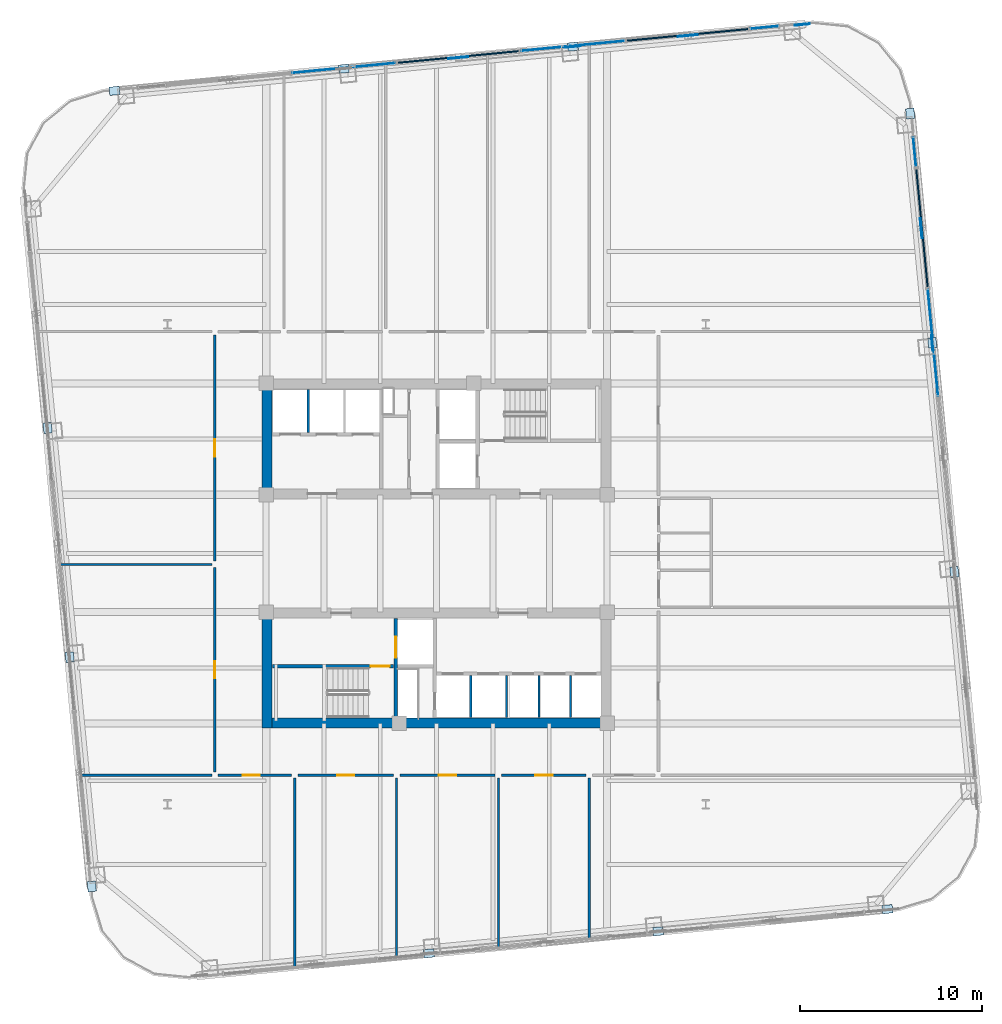
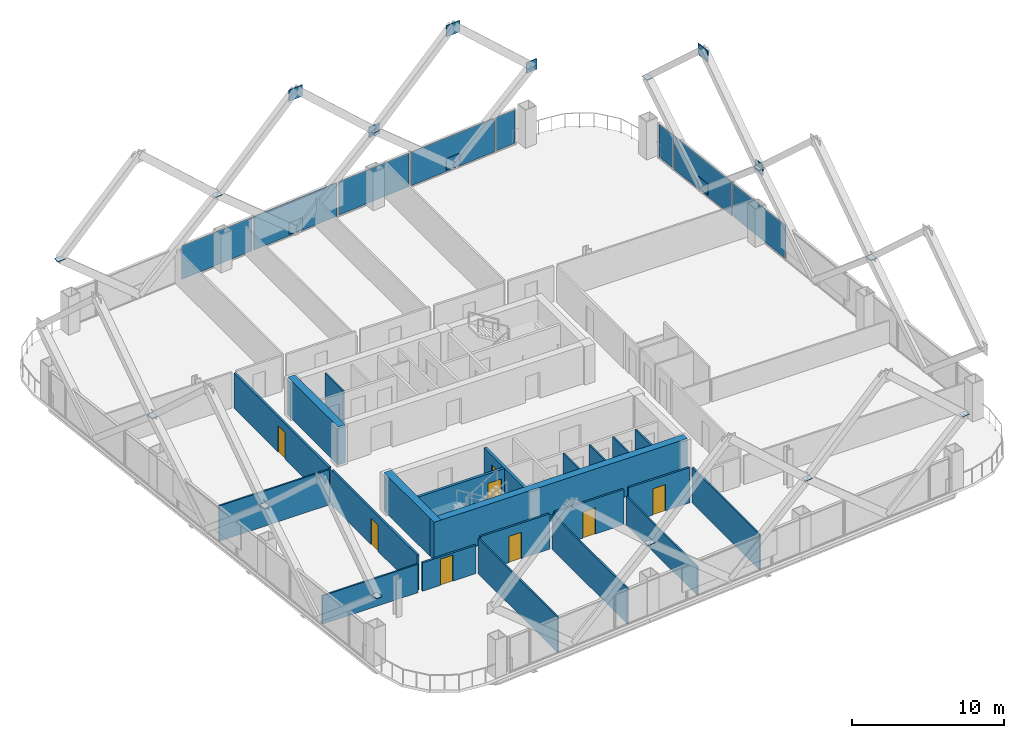
# One storey, part 27 of 32: 29 plates, 22 walls, 8 doors, 8 openings, 8 elements without a shape of their own.
"""IFC4 building model written with IfcOpenShell, lengths in metres."""

from ifc_helpers import new_model, si_unit, direction, frame, frame_2d, origin, origin_2d, place, context, subcontext, project, spatial, rectangle, extrude, material, layer, layer_set, type_object, element, fill, aggregate, save


model = new_model("IFC4")

# Units and contexts
model_context = context("Model", 3, precision=1e-05, world=origin(), true_north=direction((0.0, 1.0)))
body_context = subcontext(model_context, "Body", "Model", "MODEL_VIEW")
ifc_project = project(units=[si_unit("LENGTHUNIT", "METRE"), si_unit("AREAUNIT", "SQUARE_METRE"), si_unit("VOLUMEUNIT", "CUBIC_METRE"), si_unit("PLANEANGLEUNIT", "RADIAN"), si_unit("MASSUNIT", "GRAM", prefix="KILO")], contexts=[model_context])

# Site, building, storey
site_placement = place(None, origin())
site = spatial("IfcSite", under=ifc_project, at=site_placement, CompositionType="ELEMENT")
building_placement = place(site_placement, origin())
building = spatial("IfcBuilding", under=site, at=building_placement, Name="Qhalaya Broadcast Tower", CompositionType="ELEMENT")
storey_placement = place(building_placement, frame((0.0, 0.0, 81.64990234375)))
storey = spatial("IfcBuildingStorey", under=building, at=storey_placement, Name="L23", CompositionType="ELEMENT", Elevation=81.64990234375)

# Plates
ifc_material_1 = material(Name="Structural Steel ASTM A572 Grade 50", Category="steel")
ifc_layer_1 = layer(ifc_material_1, 0.054931640625, Name="Structural Steel ASTM A572 Grade 50")
ifc_layer_set_1 = layer_set([ifc_layer_1], Name="Structural Steel ASTM A572 Grade 50")
plate_type_1 = type_object("IfcPlateType", Name="Exoskeleton Diamond Node Gusset Plate NP-01", PredefinedType="USERDEFINED", material=ifc_layer_set_1)
for number, where, z_axis, x_axis, name in (
    (1, (26.6533203125, 18.49072265625, 0.210205078125), (0.0, 0.0, 1.0), (-0.09584575252, 0.995396198367, 0.0), "Exoskeleton Diamond Node B2-E3-BOT"),
    (2, (26.6533203125, 18.49072265625, 10.85009765625), (0.0, 0.0, 1.0), (-0.09584575252, 0.995396198367, 0.0), "Exoskeleton Diamond Node B2-E3-TOP"),
):
    element("IfcPlate", number, at=place(storey_placement, frame(where, z_axis=z_axis, x_axis=x_axis)), inside=storey, type_object=plate_type_1, Name=name, ObjectType="GUSSET_PLATE", PredefinedType="USERDEFINED", context=body_context, shape_type="SweptSolid", body=[
        extrude(rectangle(XDim=1.10009765625, YDim=0.054931640625, at=origin_2d()), origin(), (0.0, 0.0, 1.0), 0.89990234375),
    ])
plate_1_placement = place(storey_placement, frame((27.260498046875, 12.1865234375, 5.31494140625), z_axis=(0.0, 0.0, 1.0), x_axis=(-0.09584575252, 0.995396198367, 0.0)))
element("IfcPlate", 3, at=plate_1_placement, inside=storey, type_object=plate_type_1, Name="Exoskeleton Diamond Node B2-E3-MDL", ObjectType="GUSSET_PLATE", PredefinedType="USERDEFINED", context=body_context, shape_type="SweptSolid", body=[
    extrude(rectangle(XDim=0.85009765625, YDim=0.054931640625, at=origin_2d()), origin(), (0.0, 0.0, 1.0), 0.85009765625),
])
for number, where, z_axis, x_axis, name in (
    (4, (13.805908203125, 29.08154296875, 0.210205078125), (0.0, 0.0, 1.0), (0.995396198367, 0.09584575252, 0.0), "Exoskeleton Diamond Node B2-N1-BOT"),
    (5, (13.805908203125, 29.08154296875, 10.85009765625), (0.0, 0.0, 1.0), (0.995396198367, 0.09584575252, 0.0), "Exoskeleton Diamond Node B2-N1-TOP"),
):
    element("IfcPlate", number, at=place(storey_placement, frame(where, z_axis=z_axis, x_axis=x_axis)), inside=storey, type_object=plate_type_1, Name=name, ObjectType="GUSSET_PLATE", PredefinedType="USERDEFINED", context=body_context, shape_type="SweptSolid", body=[
        extrude(rectangle(XDim=1.10009765625, YDim=0.054931640625, at=origin_2d()), origin(), (0.0, 0.0, 1.0), 0.89990234375),
    ])
plate_2_placement = place(storey_placement, frame((20.110107421875, 29.688720703125, 5.31494140625), z_axis=(0.0, 0.0, 1.0), x_axis=(0.995396198367, 0.09584575252, 0.0)))
element("IfcPlate", 6, at=plate_2_placement, inside=storey, type_object=plate_type_1, Name="Exoskeleton Diamond Node B2-N1-MDL", ObjectType="GUSSET_PLATE", PredefinedType="USERDEFINED", context=body_context, shape_type="SweptSolid", body=[
    extrude(rectangle(XDim=0.85009765625, YDim=0.054931640625, at=origin_2d()), origin(), (0.0, 0.0, 1.0), 0.85009765625),
])
for number, where, z_axis, x_axis, name in (
    (7, (1.197509765625, 27.867431640625, 0.210205078125), (0.0, 0.0, 1.0), (0.995396198367, 0.09584575252, 0.0), "Exoskeleton Diamond Node B2-N2-BOT"),
    (8, (1.197509765625, 27.867431640625, 10.85009765625), (0.0, 0.0, 1.0), (0.995396198367, 0.09584575252, 0.0), "Exoskeleton Diamond Node B2-N2-TOP"),
):
    element("IfcPlate", number, at=place(storey_placement, frame(where, z_axis=z_axis, x_axis=x_axis)), inside=storey, type_object=plate_type_1, Name=name, ObjectType="GUSSET_PLATE", PredefinedType="USERDEFINED", context=body_context, shape_type="SweptSolid", body=[
        extrude(rectangle(XDim=1.10009765625, YDim=0.054931640625, at=origin_2d()), origin(), (0.0, 0.0, 1.0), 0.89990234375),
    ])
plate_3_placement = place(storey_placement, frame((7.501708984375, 28.474609375, 5.31494140625), z_axis=(0.0, 0.0, 1.0), x_axis=(0.995396198367, 0.09584575252, 0.0)))
element("IfcPlate", 9, at=plate_3_placement, inside=storey, type_object=plate_type_1, Name="Exoskeleton Diamond Node B2-N2-MDL", ObjectType="GUSSET_PLATE", PredefinedType="USERDEFINED", context=body_context, shape_type="SweptSolid", body=[
    extrude(rectangle(XDim=0.85009765625, YDim=0.054931640625, at=origin_2d()), origin(), (0.0, 0.0, 1.0), 0.85009765625),
])
ifc_layer_2 = layer(ifc_material_1, 0.4599609375, Name="Structural Steel ASTM A572 Grade 50")
ifc_layer_set_2 = layer_set([ifc_layer_2], Name="Structural Steel ASTM A572 Grade 50")
plate_type_2 = type_object("IfcPlateType", Name="Hollow Box Member End Cap Plate CP-01", PredefinedType="USERDEFINED", material=ifc_layer_set_2)
for number, where, z_axis, x_axis, name in (
    (10, (-0.421630859375, -21.39453125, 5.72412109375), (0.0, 0.0, 1.0), (0.995396198367, 0.09584575252, 0.0), "Exoskeleton Hollow End Cap B2-S1"),
    (11, (12.1865234375, -20.180419921875, 5.72412109375), (0.0, 0.0, 1.0), (0.995396198367, 0.09584575252, 0.0), "Exoskeleton Hollow End Cap B2-S2"),
    (12, (24.794921875, -18.96630859375, 5.72412109375), (0.0, 0.0, 1.0), (0.995396198367, 0.09584575252, 0.0), "Exoskeleton Hollow End Cap B2-S3"),
    (13, (28.474609375, -0.421630859375, 5.72412109375), (0.0, 0.0, 1.0), (-0.09584575252, 0.995396198367, 0.0), "Exoskeleton Hollow End Cap B2-E1"),
    (14, (27.260498046875, 12.1865234375, 5.72412109375), (0.0, 0.0, 1.0), (-0.09584575252, 0.995396198367, 0.0), "Exoskeleton Hollow End Cap B2-E2"),
    (15, (26.04638671875, 24.794921875, 5.72412109375), (0.0, 0.0, 1.0), (-0.09584575252, 0.995396198367, 0.0), "Exoskeleton Hollow End Cap B2-E3"),
    (16, (7.501708984375, 28.474609375, 5.72412109375), (0.0, 0.0, 1.0), (0.995396198367, 0.09584575252, 0.0), "Exoskeleton Hollow End Cap B2-N1"),
    (17, (-5.106689453125, 27.260498046875, 5.72412109375), (0.0, 0.0, 1.0), (0.995396198367, 0.09584575252, 0.0), "Exoskeleton Hollow End Cap B2-N2"),
    (18, (-17.715087890625, 26.04638671875, 5.72412109375), (0.0, 0.0, 1.0), (0.995396198367, 0.09584575252, 0.0), "Exoskeleton Hollow End Cap B2-N3"),
    (19, (-21.39453125, 7.501708984375, 5.72412109375), (0.0, 0.0, 1.0), (-0.09584575252, 0.995396198367, 0.0), "Exoskeleton Hollow End Cap B2-W1"),
    (20, (-20.180419921875, -5.106689453125, 5.72412109375), (0.0, 0.0, 1.0), (-0.09584575252, 0.995396198367, 0.0), "Exoskeleton Hollow End Cap B2-W2"),
    (21, (-18.96630859375, -17.715087890625, 5.72412109375), (0.0, 0.0, 1.0), (-0.09584575252, 0.995396198367, 0.0), "Exoskeleton Hollow End Cap B2-W3"),
):
    element("IfcPlate", number, at=place(storey_placement, frame(where, z_axis=z_axis, x_axis=x_axis)), inside=storey, type_object=plate_type_2, Name=name, ObjectType="COVER_PLATE", PredefinedType="USERDEFINED", context=body_context, shape_type="SweptSolid", body=[
        extrude(rectangle(XDim=0.56005859375, YDim=0.4599609375, at=origin_2d()), origin(), (0.0, 0.0, 1.0), 0.031982421875),
    ])

# Curtain wall, plate
ifc_material_2 = material(Name="Fired Architectural Terracotta", Category="masonry")
ifc_layer_3 = layer(ifc_material_2, 0.219970703125, Name="Fired Architectural Terracotta")
ifc_layer_set_3 = layer_set([ifc_layer_3], Name="Fired Architectural Terracotta")
curtain_wall_type_1 = type_object("IfcCurtainWallType", Name="Block-Cap Unitised Terracotta Spandrel Wall CW-07", PredefinedType="NOTDEFINED", material=ifc_layer_set_3)
curtain_wall_1_placement = place(storey_placement, origin())
curtain_wall_1 = element("IfcCurtainWall", 22, at=curtain_wall_1_placement, inside=storey, type_object=curtain_wall_type_1, Name="L23 Unitised Curtain Wall L23-CW-E6", PredefinedType="NOTDEFINED")
ifc_layer_4 = layer(ifc_material_2, 0.080078125, Name="Fired Architectural Terracotta")
ifc_layer_set_4 = layer_set([ifc_layer_4], Name="Fired Architectural Terracotta")
plate_type_3 = type_object("IfcPlateType", Name="Insulated Terracotta Spandrel Panel TSP-07", PredefinedType="CURTAIN_PANEL", material=ifc_layer_set_4)
plate_4_placement = place(storey_placement, frame((26.693359375, 18.494384765625, 0.0751953125), z_axis=(0.0, 0.0, 1.0), x_axis=(-0.095857967914, 0.995395022083, 0.0)))
plate_4 = element("IfcPlate", 23, at=plate_4_placement, type_object=plate_type_3, Name="CW-07 panel 1.1", PredefinedType="CURTAIN_PANEL", context=body_context, shape_type="SweptSolid", body=[
    extrude(rectangle(XDim=6.512939453125, YDim=0.080078125, at=origin_2d()), origin(), (0.0, 0.0, 1.0), 2.679931640625),
])
aggregate(curtain_wall_1, [plate_4])

curtain_wall_2_placement = place(storey_placement, origin())
curtain_wall_2 = element("IfcCurtainWall", 24, at=curtain_wall_2_placement, inside=storey, type_object=curtain_wall_type_1, Name="L23 Unitised Curtain Wall L23-CW-N2", PredefinedType="NOTDEFINED")
plate_5_placement = place(storey_placement, frame((13.802001953125, 29.121337890625, 0.0751953125), z_axis=(0.0, 0.0, 1.0), x_axis=(-0.995395819861, -0.095849683373, 0.0)))
plate_5 = element("IfcPlate", 25, at=plate_5_placement, type_object=plate_type_3, Name="CW-07 panel 1.1", PredefinedType="CURTAIN_PANEL", context=body_context, shape_type="SweptSolid", body=[
    extrude(rectangle(XDim=6.693115234375, YDim=0.080078125, at=origin_2d()), origin(), (0.0, 0.0, 1.0), 2.679931640625),
])
aggregate(curtain_wall_2, [plate_5])

curtain_wall_3_placement = place(storey_placement, origin())
curtain_wall_3 = element("IfcCurtainWall", 26, at=curtain_wall_3_placement, inside=storey, type_object=curtain_wall_type_1, Name="L23 Unitised Curtain Wall L23-CW-N4", PredefinedType="NOTDEFINED")
plate_6_placement = place(storey_placement, frame((1.19384765625, 27.9072265625, 0.0751953125), z_axis=(0.0, 0.0, 1.0), x_axis=(-0.995395768185, -0.095850220023, 0.0)))
plate_6 = element("IfcPlate", 27, at=plate_6_placement, type_object=plate_type_3, Name="CW-07 panel 1.1", PredefinedType="CURTAIN_PANEL", context=body_context, shape_type="SweptSolid", body=[
    extrude(rectangle(XDim=6.694091796875, YDim=0.080078125, at=origin_2d()), origin(), (0.0, 0.0, 1.0), 2.679931640625),
])
aggregate(curtain_wall_3, [plate_6])

ifc_material_3 = material(Name="Solar-Control Low-E Triple Glazing", Category="glass")
ifc_layer_5 = layer(ifc_material_3, 0.219970703125, Name="Solar-Control Low-E Triple Glazing")
ifc_layer_set_5 = layer_set([ifc_layer_5], Name="Solar-Control Low-E Triple Glazing")
curtain_wall_type_2 = type_object("IfcCurtainWallType", Name="Even-Block 4-Storey Double-Module Curtain Wall CW-03", PredefinedType="NOTDEFINED", material=ifc_layer_set_5)
curtain_wall_4_placement = place(storey_placement, origin())
curtain_wall_4 = element("IfcCurtainWall", 28, at=curtain_wall_4_placement, inside=storey, type_object=curtain_wall_type_2, Name="L23 Unitised Curtain Wall L23-CW-E5", PredefinedType="NOTDEFINED")
ifc_layer_6 = layer(ifc_material_3, 0.035888671875, Name="Solar-Control Low-E Triple Glazing")
ifc_layer_set_6 = layer_set([ifc_layer_6], Name="Solar-Control Low-E Triple Glazing")
plate_type_4 = type_object("IfcPlateType", Name="Solar-Control Curtain Glazing Panel GLP-03", PredefinedType="CURTAIN_PANEL", material=ifc_layer_set_6)
plate_7_placement = place(storey_placement, frame((27.30029296875, 12.190185546875, 0.0751953125), z_axis=(0.0, 0.0, 1.0), x_axis=(-0.095835542837, 0.995397181395, 0.0)))
plate_7 = element("IfcPlate", 29, at=plate_7_placement, type_object=plate_type_4, Name="CW-03 panel 1.1", PredefinedType="CURTAIN_PANEL", context=body_context, shape_type="SweptSolid", body=[
    extrude(rectangle(XDim=5.85400390625, YDim=0.035888671875, at=origin_2d()), origin(), (0.0, 0.0, 1.0), 2.679931640625),
])
aggregate(curtain_wall_4, [plate_7])

curtain_wall_5_placement = place(storey_placement, origin())
curtain_wall_5 = element("IfcCurtainWall", 30, at=curtain_wall_5_placement, inside=storey, type_object=curtain_wall_type_2, Name="L23 Unitised Curtain Wall L23-CW-E7", PredefinedType="NOTDEFINED")
plate_8_placement = place(storey_placement, frame((26.2900390625, 22.6826171875, 0.0751953125), z_axis=(0.0, 0.0, 1.0), x_axis=(-0.095829861583, 0.995397728362, 0.0)))
plate_8 = element("IfcPlate", 31, at=plate_8_placement, type_object=plate_type_4, Name="CW-03 panel 1.1", PredefinedType="CURTAIN_PANEL", context=body_context, shape_type="SweptSolid", body=[
    extrude(rectangle(XDim=1.60205078125, YDim=0.035888671875, at=origin_2d()), origin(), (0.0, 0.0, 1.0), 2.679931640625),
])
aggregate(curtain_wall_5, [plate_8])

curtain_wall_6_placement = place(storey_placement, origin())
curtain_wall_6 = element("IfcCurtainWall", 32, at=curtain_wall_6_placement, inside=storey, type_object=curtain_wall_type_2, Name="L23 Unitised Curtain Wall L23-CW-N1", PredefinedType="NOTDEFINED")
plate_9_placement = place(storey_placement, frame((18.034912109375, 29.529052734375, 0.0751953125), z_axis=(0.0, 0.0, 1.0), x_axis=(-0.995395680125, -0.095851134517, 0.0)))
plate_9 = element("IfcPlate", 33, at=plate_9_placement, type_object=plate_type_4, Name="CW-03 panel 1.1", PredefinedType="CURTAIN_PANEL", context=body_context, shape_type="SweptSolid", body=[
    extrude(rectangle(XDim=1.511962890625, YDim=0.035888671875, at=origin_2d()), origin(), (0.0, 0.0, 1.0), 2.679931640625),
])
aggregate(curtain_wall_6, [plate_9])

curtain_wall_7_placement = place(storey_placement, origin())
curtain_wall_7 = element("IfcCurtainWall", 34, at=curtain_wall_7_placement, inside=storey, type_object=curtain_wall_type_2, Name="L23 Unitised Curtain Wall L23-CW-N3", PredefinedType="NOTDEFINED")
plate_10_placement = place(storey_placement, frame((7.498046875, 28.514404296875, 0.0751953125), z_axis=(0.0, 0.0, 1.0), x_axis=(-0.995396371729, -0.095843952075, 0.0)))
plate_10 = element("IfcPlate", 35, at=plate_10_placement, type_object=plate_type_4, Name="CW-03 panel 1.1", PredefinedType="CURTAIN_PANEL", context=body_context, shape_type="SweptSolid", body=[
    extrude(rectangle(XDim=5.673095703125, YDim=0.035888671875, at=origin_2d()), origin(), (0.0, 0.0, 1.0), 2.679931640625),
])
aggregate(curtain_wall_7, [plate_10])

curtain_wall_8_placement = place(storey_placement, origin())
curtain_wall_8 = element("IfcCurtainWall", 36, at=curtain_wall_8_placement, inside=storey, type_object=curtain_wall_type_2, Name="L23 Unitised Curtain Wall L23-CW-N5", PredefinedType="NOTDEFINED")
plate_11_placement = place(storey_placement, frame((-5.110595703125, 27.30029296875, 0.0751953125), z_axis=(0.0, 0.0, 1.0), x_axis=(-0.995396371729, -0.095843952075, 0.0)))
plate_11 = element("IfcPlate", 37, at=plate_11_placement, type_object=plate_type_4, Name="CW-03 panel 1.1", PredefinedType="CURTAIN_PANEL", context=body_context, shape_type="SweptSolid", body=[
    extrude(rectangle(XDim=5.673095703125, YDim=0.035888671875, at=origin_2d()), origin(), (0.0, 0.0, 1.0), 2.679931640625),
])
aggregate(curtain_wall_8, [plate_11])

# Wall, opening, door
ifc_material_4 = material(Name="Gypsum Acoustic Partition")
ifc_layer_7 = layer(ifc_material_4, 0.14990234375, Name="Gypsum Acoustic Partition")
ifc_layer_set_7 = layer_set([ifc_layer_7], Name="Gypsum Acoustic Partition")
wall_type_1 = type_object("IfcWallType", Name="Corridor & Tenancy Acoustic Partition 150", PredefinedType="PARTITIONING", material=ifc_layer_set_7)
wall_1_placement = place(storey_placement, frame((-12.02001953125, -11.60009765625, 0.0), z_axis=(0.0, 0.0, 1.0), x_axis=(1.0, 0.0, 0.0)))
wall_1 = element("IfcWall", 38, at=wall_1_placement, inside=storey, type_object=wall_type_1, Name="L23 Partition Wall W-COR-06", PredefinedType="PARTITIONING", context=body_context, shape_type="SweptSolid", body=[
    extrude(rectangle(XDim=4.0400390625, YDim=0.14990234375, at=frame_2d((2.02001953125, 0.0))), origin(), (0.0, 0.0, 1.0), 2.274169921875),
])
opening_1_placement = place(wall_1_placement, frame((1.344970703125, 0.0, 0.0)))
opening_1 = element("IfcOpeningElement", 39, at=opening_1_placement, cuts=wall_1, Name="Opening D10", PredefinedType="OPENING", context=body_context, shape_type="SweptSolid", body=[
    extrude(rectangle(XDim=0.949951171875, YDim=2.10009765625, at=frame_2d((0.47509765625, 1.050048828125))), frame((0.0, 0.0869140625, 0.0), z_axis=(0.0, -1.0, 0.0), x_axis=(1.0, 0.0, 0.0)), (0.0, 0.0, 1.0), 0.173828125),
])
ifc_material_5 = material(Name="Timber Veneer Acoustic Door", Category="wood")
door_type_1 = type_object("IfcDoorType", Name="Cellular Office & Edit Booth Door D10", OperationType="NOTDEFINED", PredefinedType="DOOR", material=ifc_material_5)
door_1_placement = place(opening_1_placement, origin())
door_1 = element("IfcDoor", 40, at=door_1_placement, inside=storey, type_object=door_type_1, Name="L23 Door D-RM06", OperationType="SINGLE_SWING_RIGHT", OverallHeight=2.10009765625, OverallWidth=0.949951171875, PredefinedType="DOOR", context=body_context, shape_type="SweptSolid", body=[
    extrude(rectangle(XDim=0.949951171875, YDim=2.10009765625, at=frame_2d((0.47509765625, 1.050048828125))), frame((0.0, 0.02490234375, 0.0), z_axis=(0.0, -1.0, 0.0), x_axis=(1.0, 0.0, 0.0)), (0.0, 0.0, 1.0), 0.050048828125),
])
fill(opening_1, door_1)

wall_2_placement = place(storey_placement, frame((-7.6201171875, -11.60009765625, 0.0), z_axis=(0.0, 0.0, 1.0), x_axis=(1.0, 0.0, 0.0)))
wall_2 = element("IfcWall", 41, at=wall_2_placement, inside=storey, type_object=wall_type_1, Name="L23 Partition Wall W-COR-07", PredefinedType="PARTITIONING", context=body_context, shape_type="SweptSolid", body=[
    extrude(rectangle(XDim=5.240234375, YDim=0.14990234375, at=frame_2d((2.6201171875, 0.0))), origin(), (0.0, 0.0, 1.0), 2.830078125),
])
opening_2_placement = place(wall_2_placement, frame((2.14501953125, 0.0, 0.0)))
opening_2 = element("IfcOpeningElement", 42, at=opening_2_placement, cuts=wall_2, Name="Opening D10", PredefinedType="OPENING", context=body_context, shape_type="SweptSolid", body=[
    extrude(rectangle(XDim=0.949951171875, YDim=2.10009765625, at=frame_2d((0.47509765625, 1.050048828125))), frame((0.0, 0.0869140625, 0.0), z_axis=(0.0, -1.0, 0.0), x_axis=(1.0, 0.0, 0.0)), (0.0, 0.0, 1.0), 0.173828125),
])
door_2_placement = place(opening_2_placement, origin())
door_2 = element("IfcDoor", 43, at=door_2_placement, inside=storey, type_object=door_type_1, Name="L23 Door D-RM07", OperationType="SINGLE_SWING_LEFT", OverallHeight=2.10009765625, OverallWidth=0.949951171875, PredefinedType="DOOR", context=body_context, shape_type="SweptSolid", body=[
    extrude(rectangle(XDim=0.949951171875, YDim=2.10009765625, at=frame_2d((0.47509765625, 1.050048828125))), frame((0.0, 0.02490234375, 0.0), z_axis=(0.0, -1.0, 0.0), x_axis=(1.0, 0.0, 0.0)), (0.0, 0.0, 1.0), 0.050048828125),
])
fill(opening_2, door_2)

wall_3_placement = place(storey_placement, frame((-2.02001953125, -11.60009765625, 0.0), z_axis=(0.0, 0.0, 1.0), x_axis=(1.0, 0.0, 0.0)))
wall_3 = element("IfcWall", 44, at=wall_3_placement, inside=storey, type_object=wall_type_1, Name="L23 Partition Wall W-COR-08", PredefinedType="PARTITIONING", context=body_context, shape_type="SweptSolid", body=[
    extrude(rectangle(XDim=5.239990234375, YDim=0.14990234375, at=frame_2d((2.6201171875, 0.0))), origin(), (0.0, 0.0, 1.0), 2.830078125),
])
opening_3_placement = place(wall_3_placement, frame((2.14501953125, 0.0, 0.0)))
opening_3 = element("IfcOpeningElement", 45, at=opening_3_placement, cuts=wall_3, Name="Opening D10", PredefinedType="OPENING", context=body_context, shape_type="SweptSolid", body=[
    extrude(rectangle(XDim=0.949951171875, YDim=2.10009765625, at=frame_2d((0.47509765625, 1.050048828125))), frame((0.0, 0.0869140625, 0.0), z_axis=(0.0, -1.0, 0.0), x_axis=(1.0, 0.0, 0.0)), (0.0, 0.0, 1.0), 0.173828125),
])
door_3_placement = place(opening_3_placement, origin())
door_3 = element("IfcDoor", 46, at=door_3_placement, inside=storey, type_object=door_type_1, Name="L23 Door D-RM08", OperationType="SINGLE_SWING_RIGHT", OverallHeight=2.10009765625, OverallWidth=0.949951171875, PredefinedType="DOOR", context=body_context, shape_type="SweptSolid", body=[
    extrude(rectangle(XDim=0.949951171875, YDim=2.10009765625, at=frame_2d((0.47509765625, 1.050048828125))), frame((0.0, 0.02490234375, 0.0), z_axis=(0.0, -1.0, 0.0), x_axis=(1.0, 0.0, 0.0)), (0.0, 0.0, 1.0), 0.050048828125),
])
fill(opening_3, door_3)

wall_4_placement = place(storey_placement, frame((3.580078125, -11.60009765625, 0.0), z_axis=(0.0, 0.0, 1.0), x_axis=(1.0, 0.0, 0.0)))
wall_4 = element("IfcWall", 47, at=wall_4_placement, inside=storey, type_object=wall_type_1, Name="L23 Partition Wall W-COR-09", PredefinedType="PARTITIONING", context=body_context, shape_type="SweptSolid", body=[
    extrude(rectangle(XDim=4.639892578125, YDim=0.14990234375, at=frame_2d((2.31982421875, 0.0))), origin(), (0.0, 0.0, 1.0), 2.830078125),
])
opening_4_placement = place(wall_4_placement, frame((1.844970703125, 0.0, 0.0)))
opening_4 = element("IfcOpeningElement", 48, at=opening_4_placement, cuts=wall_4, Name="Opening D10", PredefinedType="OPENING", context=body_context, shape_type="SweptSolid", body=[
    extrude(rectangle(XDim=0.949951171875, YDim=2.10009765625, at=frame_2d((0.47509765625, 1.050048828125))), frame((0.0, 0.0869140625, 0.0), z_axis=(0.0, -1.0, 0.0), x_axis=(1.0, 0.0, 0.0)), (0.0, 0.0, 1.0), 0.173828125),
])
door_4_placement = place(opening_4_placement, origin())
door_4 = element("IfcDoor", 49, at=door_4_placement, inside=storey, type_object=door_type_1, Name="L23 Door D-RM09", OperationType="SINGLE_SWING_LEFT", OverallHeight=2.10009765625, OverallWidth=0.949951171875, PredefinedType="DOOR", context=body_context, shape_type="SweptSolid", body=[
    extrude(rectangle(XDim=0.949951171875, YDim=2.10009765625, at=frame_2d((0.47509765625, 1.050048828125))), frame((0.0, 0.02490234375, 0.0), z_axis=(0.0, -1.0, 0.0), x_axis=(1.0, 0.0, 0.0)), (0.0, 0.0, 1.0), 0.050048828125),
])
fill(opening_4, door_4)

wall_5_placement = place(storey_placement, frame((-12.199951171875, -11.419921875, 0.0), z_axis=(0.0, 0.0, 1.0), x_axis=(0.0, 1.0, 0.0)))
wall_5 = element("IfcWall", 50, at=wall_5_placement, inside=storey, type_object=wall_type_1, Name="L23 Partition Wall W-COR-11", PredefinedType="PARTITIONING", context=body_context, shape_type="SweptSolid", body=[
    extrude(rectangle(XDim=11.239990234375, YDim=0.14990234375, at=frame_2d((5.6201171875, 0.0))), origin(), (0.0, 0.0, 1.0), 2.830078125),
])
opening_5_placement = place(wall_5_placement, frame((5.14501953125, 0.0, 0.0)))
opening_5 = element("IfcOpeningElement", 51, at=opening_5_placement, cuts=wall_5, Name="Opening D10", PredefinedType="OPENING", context=body_context, shape_type="SweptSolid", body=[
    extrude(rectangle(XDim=0.949951171875, YDim=2.10009765625, at=frame_2d((0.47509765625, 1.050048828125))), frame((0.0, 0.0869140625, 0.0), z_axis=(0.0, -1.0, 0.0), x_axis=(1.0, 0.0, 0.0)), (0.0, 0.0, 1.0), 0.173828125),
])
door_5_placement = place(opening_5_placement, origin())
door_5 = element("IfcDoor", 52, at=door_5_placement, inside=storey, type_object=door_type_1, Name="L23 Door D-RM11", OperationType="SINGLE_SWING_LEFT", OverallHeight=2.10009765625, OverallWidth=0.949951171875, PredefinedType="DOOR", context=body_context, shape_type="SweptSolid", body=[
    extrude(rectangle(XDim=0.949951171875, YDim=2.10009765625, at=frame_2d((0.47509765625, 1.050048828125))), frame((0.0, 0.02490234375, 0.0), z_axis=(0.0, -1.0, 0.0), x_axis=(1.0, 0.0, 0.0)), (0.0, 0.0, 1.0), 0.050048828125),
])
fill(opening_5, door_5)

wall_6_placement = place(storey_placement, frame((-12.199951171875, 0.179931640625, 0.0), z_axis=(0.0, 0.0, 1.0), x_axis=(0.0, 1.0, 0.0)))
wall_6 = element("IfcWall", 53, at=wall_6_placement, inside=storey, type_object=wall_type_1, Name="L23 Partition Wall W-COR-12", PredefinedType="PARTITIONING", context=body_context, shape_type="SweptSolid", body=[
    extrude(rectangle(XDim=12.440185546875, YDim=0.14990234375, at=frame_2d((6.22021484375, 0.0))), origin(), (0.0, 0.0, 1.0), 2.830078125),
])
opening_6_placement = place(wall_6_placement, frame((5.7451171875, 0.0, 0.0)))
opening_6 = element("IfcOpeningElement", 54, at=opening_6_placement, cuts=wall_6, Name="Opening D10", PredefinedType="OPENING", context=body_context, shape_type="SweptSolid", body=[
    extrude(rectangle(XDim=0.949951171875, YDim=2.10009765625, at=frame_2d((0.47509765625, 1.050048828125))), frame((0.0, 0.0869140625, 0.0), z_axis=(0.0, -1.0, 0.0), x_axis=(1.0, 0.0, 0.0)), (0.0, 0.0, 1.0), 0.173828125),
])
door_6_placement = place(opening_6_placement, origin())
door_6 = element("IfcDoor", 55, at=door_6_placement, inside=storey, type_object=door_type_1, Name="L23 Door D-RM12", OperationType="SINGLE_SWING_RIGHT", OverallHeight=2.10009765625, OverallWidth=0.949951171875, PredefinedType="DOOR", context=body_context, shape_type="SweptSolid", body=[
    extrude(rectangle(XDim=0.949951171875, YDim=2.10009765625, at=frame_2d((0.47509765625, 1.050048828125))), frame((0.0, 0.02490234375, 0.0), z_axis=(0.0, -1.0, 0.0), x_axis=(1.0, 0.0, 0.0)), (0.0, 0.0, 1.0), 0.050048828125),
])
fill(opening_6, door_6)

ifc_material_6 = material(Name="Concrete C50/60", Category="concrete")
ifc_layer_8 = layer(ifc_material_6, 0.199951171875, Name="Concrete C50/60")
ifc_layer_set_8 = layer_set([ifc_layer_8], Name="Concrete C50/60")
wall_type_2 = type_object("IfcWallType", Name="Load-Bearing Stair Shaft Wall 200", PredefinedType="SHEAR", material=ifc_layer_set_8)
wall_7_placement = place(storey_placement, frame((-9.030029296875, -5.60498046875, 0.0), z_axis=(0.0, 0.0, 1.0), x_axis=(1.0, 0.0, 0.0)))
wall_7 = element("IfcWall", 56, at=wall_7_placement, inside=storey, type_object=wall_type_2, Name="L23 Stair Core Shear Wall SCW-ST2", PredefinedType="SHEAR", context=body_context, shape_type="SweptSolid", body=[
    extrude(rectangle(XDim=6.669921875, YDim=0.199951171875, at=frame_2d((3.3349609375, 0.0))), origin(), (0.0, 0.0, 1.0), 2.830078125),
])
opening_7_placement = place(wall_7_placement, frame((5.39990234375, 0.0, 0.0)))
opening_7 = element("IfcOpeningElement", 57, at=opening_7_placement, cuts=wall_7, Name="Opening D03", PredefinedType="OPENING", context=body_context, shape_type="SweptSolid", body=[
    extrude(rectangle(XDim=1.050048828125, YDim=2.080078125, at=frame_2d((0.52490234375, 1.0400390625))), frame((0.0, 0.112060546875, 0.0), z_axis=(0.0, -1.0, 0.0), x_axis=(1.0, 0.0, 0.0)), (0.0, 0.0, 1.0), 0.223876953125),
])
ifc_material_7 = material(Name="Fire-Rated Steel Door", Category="steel")
door_type_2 = type_object("IfcDoorType", Name="Core Stair Protected Fire Door D03", OperationType="NOTDEFINED", PredefinedType="DOOR", material=ifc_material_7)
door_7_placement = place(opening_7_placement, origin())
door_7 = element("IfcDoor", 58, at=door_7_placement, inside=storey, type_object=door_type_2, Name="L23 Door D-SST2", OperationType="SINGLE_SWING_RIGHT", OverallHeight=2.080078125, OverallWidth=1.050048828125, PredefinedType="DOOR", context=body_context, shape_type="SweptSolid", body=[
    extrude(rectangle(XDim=1.050048828125, YDim=2.080078125, at=frame_2d((0.52490234375, 1.0400390625))), frame((0.0, 0.02490234375, 0.0), z_axis=(0.0, -1.0, 0.0), x_axis=(1.0, 0.0, 0.0)), (0.0, 0.0, 1.0), 0.050048828125),
])
fill(opening_7, door_7)

wall_8_placement = place(storey_placement, frame((-2.25, -8.429931640625, 0.0), z_axis=(0.0, 0.0, 1.0), x_axis=(0.0, 1.0, 0.0)))
wall_8 = element("IfcWall", 59, at=wall_8_placement, inside=storey, type_object=wall_type_2, Name="L23 Stair Core Shear Wall SCW-FF", PredefinedType="SHEAR", context=body_context, shape_type="SweptSolid", body=[
    extrude(rectangle(XDim=5.4599609375, YDim=0.199951171875, at=frame_2d((2.72998046875, 0.0))), origin(), (0.0, 0.0, 1.0), 2.830078125),
])
opening_8_placement = place(wall_8_placement, frame((3.300048828125, 0.0, 0.0)))
opening_8 = element("IfcOpeningElement", 60, at=opening_8_placement, cuts=wall_8, Name="Opening LD2", PredefinedType="OPENING", context=body_context, shape_type="SweptSolid", body=[
    extrude(rectangle(XDim=1.14990234375, YDim=2.080078125, at=frame_2d((0.574951171875, 1.0400390625))), frame((0.0, 0.112060546875, 0.0), z_axis=(0.0, -1.0, 0.0), x_axis=(1.0, 0.0, 0.0)), (0.0, 0.0, 1.0), 0.223876953125),
])
ifc_material_8 = material(Name="Brushed Stainless Steel Lift Door", Category="steel")
door_type_3 = type_object("IfcDoorType", Name="Firefighting Lift Sliding Landing Door LD2", OperationType="DOUBLE_DOOR_SLIDING", PredefinedType="DOOR", material=ifc_material_8)
door_8_placement = place(opening_8_placement, origin())
door_8 = element("IfcDoor", 61, at=door_8_placement, inside=storey, type_object=door_type_3, Name="L23 Door LD-FF2", OperationType="DOUBLE_DOOR_SLIDING", OverallHeight=2.080078125, OverallWidth=1.14990234375, PredefinedType="DOOR", context=body_context, shape_type="SweptSolid", body=[
    extrude(rectangle(XDim=1.14990234375, YDim=2.080078125, at=frame_2d((0.574951171875, 1.0400390625))), frame((0.0, 0.02490234375, 0.0), z_axis=(0.0, -1.0, 0.0), x_axis=(1.0, 0.0, 0.0)), (0.0, 0.0, 1.0), 0.050048828125),
])
fill(opening_8, door_8)

# Walls
ifc_material_9 = material(Name="Concrete C60/75", Category="concrete")
ifc_layer_9 = layer(ifc_material_9, 0.550048828125, Name="Concrete C60/75")
ifc_layer_set_9 = layer_set([ifc_layer_9], Name="Concrete C60/75")
wall_type_3 = type_object("IfcWallType", Name="Lower Split-Core Shear Wall 550", PredefinedType="SHEAR", material=ifc_layer_set_9)
wall_9_placement = place(storey_placement, frame((-9.324951171875, 3.60009765625, 0.0), z_axis=(0.0, 0.0, 1.0), x_axis=(0.0, 1.0, 0.0)))
element("IfcWall", 62, at=wall_9_placement, inside=storey, type_object=wall_type_3, Name="L23 Split-Core Shear Wall CW-NW", PredefinedType="SHEAR", context=body_context, shape_type="SweptSolid", body=[
    extrude(rectangle(XDim=6.599853515625, YDim=0.550048828125, at=frame_2d((3.2998046875, 0.0))), origin(), (0.0, 0.0, 1.0), 3.050048828125),
])
wall_10_placement = place(storey_placement, frame((-9.60009765625, -8.72509765625, 0.0), z_axis=(0.0, 0.0, 1.0), x_axis=(1.0, 0.0, 0.0)))
element("IfcWall", 63, at=wall_10_placement, inside=storey, type_object=wall_type_3, Name="L23 Split-Core Shear Wall CW-SS", PredefinedType="SHEAR", context=body_context, shape_type="SweptSolid", body=[
    extrude(rectangle(XDim=19.2001953125, YDim=0.550048828125, at=frame_2d((9.60009765625, 0.0))), origin(), (0.0, 0.0, 1.0), 3.050048828125),
])
wall_11_placement = place(storey_placement, frame((-9.324951171875, -9.0, 0.0), z_axis=(0.0, 0.0, 1.0), x_axis=(0.0, 1.0, 0.0)))
element("IfcWall", 64, at=wall_11_placement, inside=storey, type_object=wall_type_3, Name="L23 Split-Core Shear Wall CW-SW", PredefinedType="SHEAR", context=body_context, shape_type="SweptSolid", body=[
    extrude(rectangle(XDim=6.60009765625, YDim=0.550048828125, at=frame_2d((3.300048828125, 0.0))), origin(), (0.0, 0.0, 1.0), 3.050048828125),
])
ifc_layer_10 = layer(ifc_material_4, 0.1201171875, Name="Gypsum Acoustic Partition")
ifc_layer_set_10 = layer_set([ifc_layer_10], Name="Gypsum Acoustic Partition")
wall_type_4 = type_object("IfcWallType", Name="Office, Booth & Sanitary Partition 120", PredefinedType="PARTITIONING", material=ifc_layer_set_10)
wall_12_placement = place(storey_placement, frame((-7.06005859375, 7.25, 0.0), z_axis=(0.0, 0.0, 1.0), x_axis=(0.0, 1.0, 0.0)))
element("IfcWall", 65, at=wall_12_placement, inside=storey, type_object=wall_type_4, Name="L23 Partition Wall NCW-PD1", PredefinedType="PARTITIONING", context=body_context, shape_type="SweptSolid", body=[
    extrude(rectangle(XDim=2.3798828125, YDim=0.1201171875, at=frame_2d((1.18994140625, 0.0))), origin(), (0.0, 0.0, 1.0), 2.830078125),
])
for number, where, z_axis, x_axis, name in (
    (66, (1.8798828125, -8.429931640625, 0.0), (0.0, 0.0, 1.0), (0.0, 1.0, 0.0), "L23 Partition Wall SCW-MD4"),
    (67, (3.85009765625, -8.429931640625, 0.0), (0.0, 0.0, 1.0), (0.0, 1.0, 0.0), "L23 Partition Wall SCW-MD5"),
    (68, (5.639892578125, -8.429931640625, 0.0), (0.0, 0.0, 1.0), (0.0, 1.0, 0.0), "L23 Partition Wall SCW-HD6"),
    (69, (7.360107421875, -8.429931640625, 0.0), (0.0, 0.0, 1.0), (0.0, 1.0, 0.0), "L23 Partition Wall SCW-HD7"),
):
    element("IfcWall", number, at=place(storey_placement, frame(where, z_axis=z_axis, x_axis=x_axis)), inside=storey, type_object=wall_type_4, Name=name, PredefinedType="PARTITIONING", context=body_context, shape_type="SweptSolid", body=[
        extrude(rectangle(XDim=2.329833984375, YDim=0.1201171875, at=frame_2d((1.1650390625, 0.0))), origin(), (0.0, 0.0, 1.0), 2.830078125),
    ])
wall_13_placement = place(storey_placement, frame((-19.595458984375, -11.60009765625, 0.0), z_axis=(0.0, 0.0, 1.0), x_axis=(1.0, 0.0, 0.0)))
element("IfcWall", 70, at=wall_13_placement, inside=storey, type_object=wall_type_4, Name="L23 Partition Wall W-BNDW2", PredefinedType="PARTITIONING", context=body_context, shape_type="SweptSolid", body=[
    extrude(rectangle(XDim=7.25537109375, YDim=0.1201171875, at=frame_2d((3.627685546875, 0.0))), origin(), (0.0, 0.0, 1.0), 2.274169921875),
])
wall_14_placement = place(storey_placement, frame((-7.800048828125, -22.14501953125, 0.0), z_axis=(0.0, 0.0, 1.0), x_axis=(0.0, 1.0, 0.0)))
element("IfcWall", 71, at=wall_14_placement, inside=storey, type_object=wall_type_4, Name="L23 Partition Wall W-DIVS1", PredefinedType="PARTITIONING", context=body_context, shape_type="SweptSolid", body=[
    extrude(rectangle(XDim=10.385009765625, YDim=0.1201171875, at=frame_2d((5.1923828125, 0.0))), origin(), (0.0, 0.0, 1.0), 2.830078125),
])
wall_15_placement = place(storey_placement, frame((-2.199951171875, -21.60595703125, 0.0), z_axis=(0.0, 0.0, 1.0), x_axis=(0.0, 1.0, 0.0)))
element("IfcWall", 72, at=wall_15_placement, inside=storey, type_object=wall_type_4, Name="L23 Partition Wall W-DIVS2", PredefinedType="PARTITIONING", context=body_context, shape_type="SweptSolid", body=[
    extrude(rectangle(XDim=9.845947265625, YDim=0.1201171875, at=frame_2d((4.9228515625, 0.0))), origin(), (0.0, 0.0, 1.0), 2.830078125),
])
wall_16_placement = place(storey_placement, frame((3.39990234375, -21.066650390625, 0.0), z_axis=(0.0, 0.0, 1.0), x_axis=(0.0, 1.0, 0.0)))
element("IfcWall", 73, at=wall_16_placement, inside=storey, type_object=wall_type_4, Name="L23 Partition Wall W-DIVS3", PredefinedType="PARTITIONING", context=body_context, shape_type="SweptSolid", body=[
    extrude(rectangle(XDim=9.306640625, YDim=0.1201171875, at=frame_2d((4.6533203125, 0.0))), origin(), (0.0, 0.0, 1.0), 2.274169921875),
])
wall_17_placement = place(storey_placement, frame((8.39990234375, -20.585205078125, 0.0), z_axis=(0.0, 0.0, 1.0), x_axis=(0.0, 1.0, 0.0)))
element("IfcWall", 74, at=wall_17_placement, inside=storey, type_object=wall_type_4, Name="L23 Partition Wall W-DIVS4", PredefinedType="PARTITIONING", context=body_context, shape_type="SweptSolid", body=[
    extrude(rectangle(XDim=8.8251953125, YDim=0.1201171875, at=frame_2d((4.41259765625, 0.0))), origin(), (0.0, 0.0, 1.0), 2.830078125),
])
wall_18_placement = place(storey_placement, frame((-20.71240234375, 0.0, 0.0), z_axis=(0.0, 0.0, 1.0), x_axis=(1.0, 0.0, 0.0)))
element("IfcWall", 75, at=wall_18_placement, inside=storey, type_object=wall_type_4, Name="L23 Partition Wall W-DIVW1", PredefinedType="PARTITIONING", context=body_context, shape_type="SweptSolid", body=[
    extrude(rectangle(XDim=8.352294921875, YDim=0.1201171875, at=frame_2d((4.17626953125, 0.0))), origin(), (0.0, 0.0, 1.0), 2.830078125),
])

save(model, "model.ifc")
